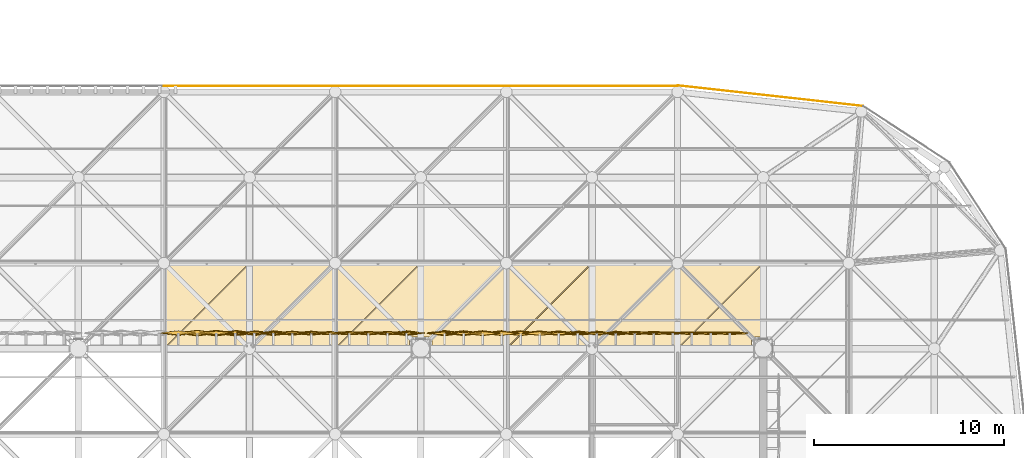
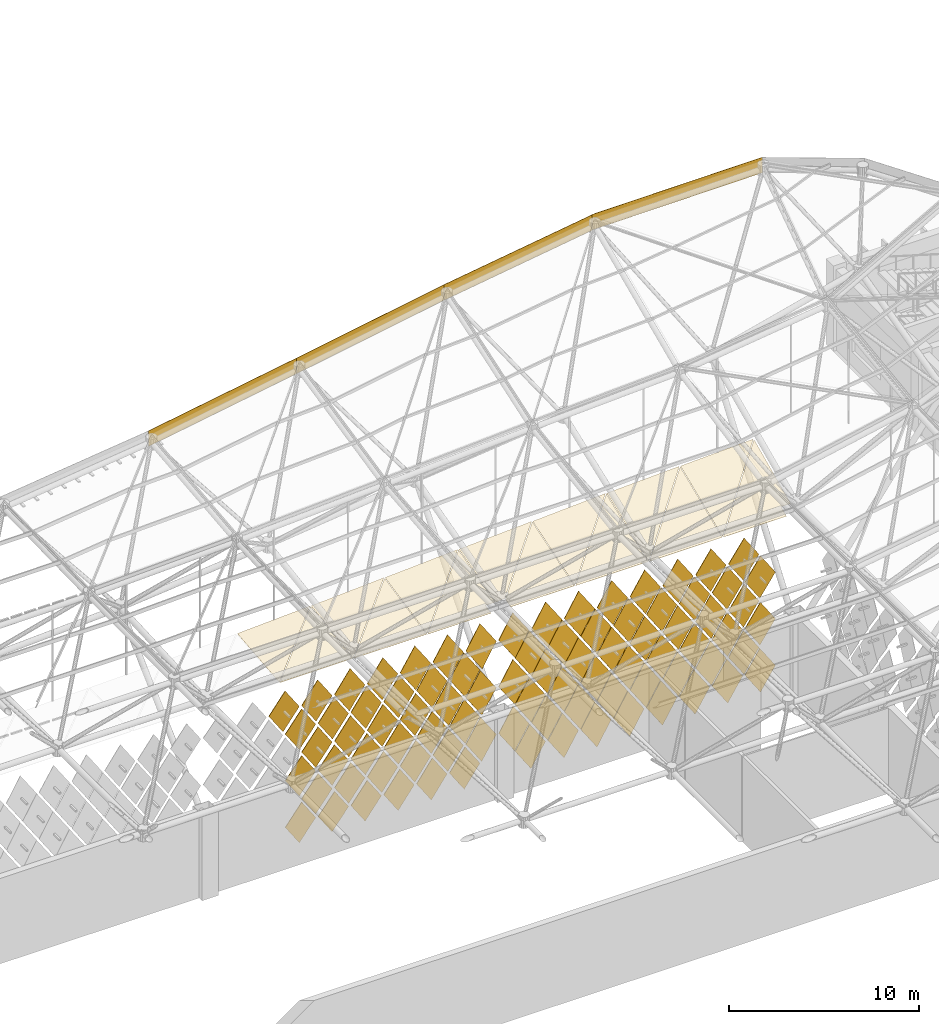
# One storey, part 427 of 437: 103 coverings.
"""IFC4 building model written with IfcOpenShell, lengths in metres."""

from ifc_helpers import new_model, si_unit, direction, frame, origin, place, context, subcontext, project, spatial, polyline, outline, extrude, material, layer, layer_set, material_profile, profile_set, type_object, element, save


model = new_model("IFC4")

# Units and contexts
model_context = context("Model", 3, precision=1e-05, world=origin(), true_north=direction((0.0, 1.0)))
body_context = subcontext(model_context, "Body", "Model", "MODEL_VIEW")
ifc_project = project(units=[si_unit("LENGTHUNIT", "METRE"), si_unit("AREAUNIT", "SQUARE_METRE"), si_unit("VOLUMEUNIT", "CUBIC_METRE"), si_unit("PLANEANGLEUNIT", "RADIAN"), si_unit("MASSUNIT", "GRAM", prefix="KILO")], contexts=[model_context])

# Site, building, storey
site_placement = place(None, origin())
site = spatial("IfcSite", under=ifc_project, at=site_placement, CompositionType="ELEMENT")
building_placement = place(site_placement, origin())
building = spatial("IfcBuilding", under=site, at=building_placement, Name="Opaline Strait Convention Centre", CompositionType="ELEMENT")
storey_placement = place(building_placement, frame((0.0, 0.0, 11.5)))
storey = spatial("IfcBuildingStorey", under=building, at=storey_placement, Name="L02", CompositionType="ELEMENT", Elevation=11.5)

# Coverings
ifc_material_1 = material(Name="White ceramic-faced aluminium tile", Category="aluminium")
ifc_material_profile_1 = material_profile(ifc_material_1, outline(polyline([(0.927978515625, 0.0), (0.0, 1.39208984375), (-0.927978515625, 0.0), (0.0, -1.39208984375), (0.927978515625, 0.0)])), Name="Diamond tile 1856x2784")
ifc_profile_set_1 = profile_set([ifc_material_profile_1], Name="White ceramic-faced aluminium tile")
covering_type_1 = type_object("IfcCoveringType", Name="Diamond wall tile 1856x2784x30 pivot 1 deg", PredefinedType="CLADDING", material=ifc_profile_set_1)
for number, where, z_axis, x_axis, name in (
    (1, (259.25, 153.800048828125, 1.89208984375), (0.0, 0.999702690643, -0.024382992455), (-1.0, 0.0, 0.0), "Wall tile XT02 N"),
    (2, (258.25, 153.800048828125, 3.39208984375), (0.0, 0.999702690643, -0.024382992455), (-1.0, 0.0, 0.0), "Wall tile XT02 N"),
    (3, (259.25, 153.800048828125, 4.89208984375), (0.0, 0.999867829764, 0.016258013492), (-1.0, 0.0, 0.0), "Wall tile XT02 N"),
    (4, (257.25, 153.800048828125, 4.89208984375), (0.0, 0.999702690643, -0.024382992455), (-1.0, 0.0, 0.0), "Wall tile XT02 N"),
    (5, (258.25, 153.800048828125, 6.39208984375), (0.0, 0.999867829764, 0.016258013492), (-1.0, 0.0, 0.0), "Wall tile XT02 N"),
    (6, (256.25, 153.800048828125, 6.39208984375), (0.0, 0.999702690643, -0.024382992455), (-1.0, 0.0, 0.0), "Wall tile XT02 N"),
    (7, (257.25, 153.800048828125, 7.89208984375), (0.0, 0.999867829764, 0.016258013492), (-1.0, 0.0, 0.0), "Wall tile XT02 N"),
    (8, (255.25, 153.800048828125, 7.89208984375), (0.0, 0.999702690643, -0.024382992455), (-1.0, 0.0, 0.0), "Wall tile XT02 N"),
    (9, (256.25, 153.800048828125, 9.39208984375), (0.0, 0.999867829764, 0.016258013492), (-1.0, 0.0, 0.0), "Wall tile XT02 N"),
    (10, (254.25, 153.800048828125, 9.39208984375), (0.0, 0.999702690643, -0.024382992455), (-1.0, 0.0, 0.0), "Wall tile XT02 N"),
):
    element("IfcCovering", number, at=place(storey_placement, frame(where, z_axis=z_axis, x_axis=x_axis)), inside=storey, type_object=covering_type_1, Name=name, PredefinedType="CLADDING", context=body_context, shape_type="SweptSolid", body=[
        extrude(outline(polyline([(0.927978515625, 0.0), (0.0, 1.39208984375), (-0.927978515625, 0.0), (0.0, -1.39208984375), (0.927978515625, 0.0)])), origin(), (0.0, 0.0, 1.0), 0.030029296875),
    ])
ifc_material_profile_2 = material_profile(ifc_material_1, outline(polyline([(0.927978515625, 0.0), (0.0, 1.39208984375), (-0.927978515625, 0.0), (0.0, -1.39208984375), (0.927978515625, 0.0)])), Name="Diamond tile 1856x2784")
ifc_profile_set_2 = profile_set([ifc_material_profile_2], Name="White ceramic-faced aluminium tile")
covering_type_2 = type_object("IfcCoveringType", Name="Diamond wall tile 1856x2784x30 pivot 1.5 deg", PredefinedType="CLADDING", material=ifc_profile_set_2)
for number, where, z_axis, x_axis, name in (
    (11, (257.25, 153.800048828125, 1.89208984375), (0.0, 0.999471633277, -0.032503142546), (-1.0, 0.0, 0.0), "Wall tile XT03 N"),
    (12, (256.25, 153.800048828125, 3.39208984375), (0.0, 0.999471633277, -0.032503142546), (-1.0, 0.0, 0.0), "Wall tile XT03 N"),
    (13, (255.25, 153.800048828125, 4.89208984375), (0.0, 0.999471633277, -0.032503142546), (-1.0, 0.0, 0.0), "Wall tile XT03 N"),
    (14, (254.25, 153.800048828125, 6.39208984375), (0.0, 0.999471633277, -0.032503142546), (-1.0, 0.0, 0.0), "Wall tile XT03 N"),
    (15, (253.25, 153.800048828125, 7.89208984375), (0.0, 0.999471633277, -0.032503142546), (-1.0, 0.0, 0.0), "Wall tile XT03 N"),
    (16, (252.25, 153.800048828125, 9.39208984375), (0.0, 0.999471633277, -0.032503142546), (-1.0, 0.0, 0.0), "Wall tile XT03 N"),
):
    element("IfcCovering", number, at=place(storey_placement, frame(where, z_axis=z_axis, x_axis=x_axis)), inside=storey, type_object=covering_type_2, Name=name, PredefinedType="CLADDING", context=body_context, shape_type="SweptSolid", body=[
        extrude(outline(polyline([(0.927978515625, 0.0), (0.0, 1.39208984375), (-0.927978515625, 0.0), (0.0, -1.39208984375), (0.927978515625, 0.0)])), origin(), (0.0, 0.0, 1.0), 0.030029296875),
    ])
ifc_material_profile_3 = material_profile(ifc_material_1, outline(polyline([(0.927978515625, 0.0), (0.0, 1.39208984375), (-0.927978515625, 0.0), (0.0, -1.39208984375), (0.927978515625, 0.0)])), Name="Diamond tile 1856x2784")
ifc_profile_set_3 = profile_set([ifc_material_profile_3], Name="White ceramic-faced aluminium tile")
covering_type_3 = type_object("IfcCoveringType", Name="Diamond wall tile 1856x2784x30 pivot 2 deg", PredefinedType="CLADDING", material=ifc_profile_set_3)
for number, where, z_axis, x_axis, name in (
    (17, (241.25, 153.800048828125, 1.89208984375), (0.0, 0.999471633277, 0.032503142546), (-1.0, 0.0, 0.0), "Wall tile XT04 N"),
    (18, (242.25, 153.800048828125, 3.39208984375), (0.0, 0.999174794796, -0.040616861577), (-1.0, 0.0, 0.0), "Wall tile XT04 N"),
    (19, (240.25, 153.800048828125, 3.39208984375), (0.0, 0.999471633277, 0.032503142546), (-1.0, 0.0, 0.0), "Wall tile XT04 N"),
    (20, (241.25, 153.800048828125, 4.89208984375), (0.0, 0.999174794796, -0.040616861577), (-1.0, 0.0, 0.0), "Wall tile XT04 N"),
    (21, (239.25, 153.800048828125, 4.89208984375), (0.0, 0.999471633277, 0.032503142546), (-1.0, 0.0, 0.0), "Wall tile XT04 N"),
    (22, (240.25, 153.800048828125, 6.39208984375), (0.0, 0.999174794796, -0.040616861577), (-1.0, 0.0, 0.0), "Wall tile XT04 N"),
    (23, (238.25, 153.800048828125, 6.39208984375), (0.0, 0.999471633277, 0.032503142546), (-1.0, 0.0, 0.0), "Wall tile XT04 N"),
    (24, (236.25, 153.800048828125, 6.39208984375), (0.0, 0.999471633277, 0.032503142546), (-1.0, 0.0, 0.0), "Wall tile XT04 N"),
    (25, (259.25, 153.800048828125, 7.89208984375), (0.0, 0.999471633277, 0.032503142546), (-1.0, 0.0, 0.0), "Wall tile XT04 N"),
    (26, (239.25, 153.800048828125, 7.89208984375), (0.0, 0.999174794796, -0.040616861577), (-1.0, 0.0, 0.0), "Wall tile XT04 N"),
    (27, (237.25, 153.800048828125, 7.89208984375), (0.0, 0.999471633277, 0.032503142546), (-1.0, 0.0, 0.0), "Wall tile XT04 N"),
    (28, (235.25, 153.800048828125, 7.89208984375), (0.0, 0.999471633277, 0.032503142546), (-1.0, 0.0, 0.0), "Wall tile XT04 N"),
    (29, (258.25, 153.800048828125, 9.39208984375), (0.0, 0.999471633277, 0.032503142546), (-1.0, 0.0, 0.0), "Wall tile XT04 N"),
    (30, (238.25, 153.800048828125, 9.39208984375), (0.0, 0.999174794796, -0.040616861577), (-1.0, 0.0, 0.0), "Wall tile XT04 N"),
    (31, (236.25, 153.800048828125, 9.39208984375), (0.0, 0.999471633277, 0.032503142546), (-1.0, 0.0, 0.0), "Wall tile XT04 N"),
    (32, (234.25, 153.800048828125, 9.39208984375), (0.0, 0.999471633277, 0.032503142546), (-1.0, 0.0, 0.0), "Wall tile XT04 N"),
):
    element("IfcCovering", number, at=place(storey_placement, frame(where, z_axis=z_axis, x_axis=x_axis)), inside=storey, type_object=covering_type_3, Name=name, PredefinedType="CLADDING", context=body_context, shape_type="SweptSolid", body=[
        extrude(outline(polyline([(0.927978515625, 0.0), (0.0, 1.39208984375), (-0.927978515625, 0.0), (0.0, -1.39208984375), (0.927978515625, 0.0)])), origin(), (0.0, 0.0, 1.0), 0.030029296875),
    ])
ifc_material_profile_4 = material_profile(ifc_material_1, outline(polyline([(0.927978515625, 0.0), (0.0, 1.39208984375), (-0.927978515625, 0.0), (0.0, -1.39208984375), (0.927978515625, 0.0)])), Name="Diamond tile 1856x2784")
ifc_profile_set_4 = profile_set([ifc_material_profile_4], Name="White ceramic-faced aluminium tile")
covering_type_4 = type_object("IfcCoveringType", Name="Diamond wall tile 1856x2784x30 pivot 2.5 deg", PredefinedType="CLADDING", material=ifc_profile_set_4)
for number, where, z_axis, x_axis, name in (
    (33, (255.25, 153.800048828125, 1.89208984375), (0.0, 0.998812351125, -0.048722553713), (-1.0, 0.0, 0.0), "Wall tile XT05 N"),
    (34, (245.25, 153.800048828125, 1.89208984375), (0.0, 0.998812351125, -0.048722553713), (-1.0, 0.0, 0.0), "Wall tile XT05 N"),
    (35, (239.25, 153.800048828125, 1.89208984375), (0.0, 0.999174794796, 0.040616861577), (-1.0, 0.0, 0.0), "Wall tile XT05 N"),
    (36, (254.25, 153.800048828125, 3.39208984375), (0.0, 0.998812351125, -0.048722553713), (-1.0, 0.0, 0.0), "Wall tile XT05 N"),
    (37, (238.25, 153.800048828125, 3.39208984375), (0.0, 0.999174794796, 0.040616861577), (-1.0, 0.0, 0.0), "Wall tile XT05 N"),
    (38, (237.25, 153.800048828125, 4.89208984375), (0.0, 0.999174794796, 0.040616861577), (-1.0, 0.0, 0.0), "Wall tile XT05 N"),
    (39, (252.25, 153.800048828125, 6.39208984375), (0.0, 0.998812351125, -0.048722553713), (-1.0, 0.0, 0.0), "Wall tile XT05 N"),
    (40, (251.25, 153.800048828125, 7.89208984375), (0.0, 0.998812351125, -0.048722553713), (-1.0, 0.0, 0.0), "Wall tile XT05 N"),
    (41, (250.25, 153.800048828125, 9.39208984375), (0.0, 0.998812351125, -0.048722553713), (-1.0, 0.0, 0.0), "Wall tile XT05 N"),
):
    element("IfcCovering", number, at=place(storey_placement, frame(where, z_axis=z_axis, x_axis=x_axis)), inside=storey, type_object=covering_type_4, Name=name, PredefinedType="CLADDING", context=body_context, shape_type="SweptSolid", body=[
        extrude(outline(polyline([(0.927978515625, 0.0), (0.0, 1.39208984375), (-0.927978515625, 0.0), (0.0, -1.39208984375), (0.927978515625, 0.0)])), origin(), (0.0, 0.0, 1.0), 0.030029296875),
    ])
ifc_material_profile_5 = material_profile(ifc_material_1, outline(polyline([(0.927978515625, 0.0), (0.0, 1.39208984375), (-0.927978515625, 0.0), (0.0, -1.39208984375), (0.927978515625, 0.0)])), Name="Diamond tile 1856x2784")
ifc_profile_set_5 = profile_set([ifc_material_profile_5], Name="White ceramic-faced aluminium tile")
covering_type_5 = type_object("IfcCoveringType", Name="Diamond wall tile 1856x2784x30 pivot 3 deg", PredefinedType="CLADDING", material=ifc_profile_set_5)
for number, where, z_axis, x_axis, name in (
    (42, (244.25, 153.800048828125, 3.39208984375), (0.0, 0.998384516691, -0.056818631031), (-1.0, 0.0, 0.0), "Wall tile XT06 N"),
    (43, (253.25, 153.800048828125, 4.89208984375), (0.0, 0.998384516691, -0.056818631031), (-1.0, 0.0, 0.0), "Wall tile XT06 N"),
    (44, (242.25, 153.800048828125, 6.39208984375), (0.0, 0.998384516691, -0.056818631031), (-1.0, 0.0, 0.0), "Wall tile XT06 N"),
    (45, (241.25, 153.800048828125, 7.89208984375), (0.0, 0.998384516691, -0.056818631031), (-1.0, 0.0, 0.0), "Wall tile XT06 N"),
    (46, (240.25, 153.800048828125, 9.39208984375), (0.0, 0.998384516691, -0.056818631031), (-1.0, 0.0, 0.0), "Wall tile XT06 N"),
):
    element("IfcCovering", number, at=place(storey_placement, frame(where, z_axis=z_axis, x_axis=x_axis)), inside=storey, type_object=covering_type_5, Name=name, PredefinedType="CLADDING", context=body_context, shape_type="SweptSolid", body=[
        extrude(outline(polyline([(0.927978515625, 0.0), (0.0, 1.39208984375), (-0.927978515625, 0.0), (0.0, -1.39208984375), (0.927978515625, 0.0)])), origin(), (0.0, 0.0, 1.0), 0.030029296875),
    ])
ifc_material_profile_6 = material_profile(ifc_material_1, outline(polyline([(0.927978515625, 0.0), (0.0, 1.39208984375), (-0.927978515625, 0.0), (0.0, -1.39208984375), (0.927978515625, 0.0)])), Name="Diamond tile 1856x2784")
ifc_profile_set_6 = profile_set([ifc_material_profile_6], Name="White ceramic-faced aluminium tile")
covering_type_6 = type_object("IfcCoveringType", Name="Diamond wall tile 1856x2784x30 pivot 3.5 deg", PredefinedType="CLADDING", material=ifc_profile_set_6)
for number, where, z_axis, x_axis, name in (
    (47, (253.25, 153.800048828125, 1.89208984375), (0.0, 0.99785694905, -0.065433242561), (-1.0, 0.0, 0.0), "Wall tile XT07 N"),
    (48, (247.25, 153.800048828125, 1.89208984375), (0.0, 0.99785694905, -0.065433242561), (-1.0, 0.0, 0.0), "Wall tile XT07 N"),
    (49, (252.25, 153.800048828125, 3.39208984375), (0.0, 0.99785694905, -0.065433242561), (-1.0, 0.0, 0.0), "Wall tile XT07 N"),
    (50, (246.25, 153.800048828125, 3.39208984375), (0.0, 0.99785694905, -0.065433242561), (-1.0, 0.0, 0.0), "Wall tile XT07 N"),
    (51, (251.25, 153.800048828125, 4.89208984375), (0.0, 0.99785694905, -0.065433242561), (-1.0, 0.0, 0.0), "Wall tile XT07 N"),
    (52, (245.25, 153.800048828125, 4.89208984375), (0.0, 0.99785694905, -0.065433242561), (-1.0, 0.0, 0.0), "Wall tile XT07 N"),
    (53, (250.25, 153.800048828125, 6.39208984375), (0.0, 0.99785694905, -0.065433242561), (-1.0, 0.0, 0.0), "Wall tile XT07 N"),
    (54, (249.25, 153.800048828125, 7.89208984375), (0.0, 0.99785694905, -0.065433242561), (-1.0, 0.0, 0.0), "Wall tile XT07 N"),
):
    element("IfcCovering", number, at=place(storey_placement, frame(where, z_axis=z_axis, x_axis=x_axis)), inside=storey, type_object=covering_type_6, Name=name, PredefinedType="CLADDING", context=body_context, shape_type="SweptSolid", body=[
        extrude(outline(polyline([(0.927978515625, 0.0), (0.0, 1.39208984375), (-0.927978515625, 0.0), (0.0, -1.39208984375), (0.927978515625, 0.0)])), origin(), (0.0, 0.0, 1.0), 0.02978515625),
    ])
ifc_material_profile_7 = material_profile(ifc_material_1, outline(polyline([(0.927978515625, 0.0), (0.0, 1.39208984375), (-0.927978515625, 0.0), (0.0, -1.39208984375), (0.927978515625, 0.0)])), Name="Diamond tile 1856x2784")
ifc_profile_set_7 = profile_set([ifc_material_profile_7], Name="White ceramic-faced aluminium tile")
covering_type_7 = type_object("IfcCoveringType", Name="Diamond wall tile 1856x2784x30 pivot 4 deg", PredefinedType="CLADDING", material=ifc_profile_set_7)
for number, where, z_axis, x_axis, name in (
    (55, (251.25, 153.800048828125, 1.89208984375), (0.0, 0.997290013252, -0.073570574748), (-1.0, 0.0, 0.0), "Wall tile XT08 N"),
    (56, (249.25, 153.800048828125, 1.89208984375), (0.0, 0.997290013252, -0.073570574748), (-1.0, 0.0, 0.0), "Wall tile XT08 N"),
    (57, (237.25, 153.800048828125, 1.89208984375), (0.0, 0.99785694905, 0.065433242561), (-1.0, 0.0, 0.0), "Wall tile XT08 N"),
    (58, (250.25, 153.800048828125, 3.39208984375), (0.0, 0.997290013252, -0.073570574748), (-1.0, 0.0, 0.0), "Wall tile XT08 N"),
    (59, (236.25, 153.800048828125, 3.39208984375), (0.0, 0.99785694905, 0.065433242561), (-1.0, 0.0, 0.0), "Wall tile XT08 N"),
    (60, (249.25, 153.800048828125, 4.89208984375), (0.0, 0.997290013252, -0.073570574748), (-1.0, 0.0, 0.0), "Wall tile XT08 N"),
    (61, (235.25, 153.800048828125, 4.89208984375), (0.0, 0.99785694905, 0.065433242561), (-1.0, 0.0, 0.0), "Wall tile XT08 N"),
    (62, (244.25, 153.800048828125, 6.39208984375), (0.0, 0.997290013252, -0.073570574748), (-1.0, 0.0, 0.0), "Wall tile XT08 N"),
    (63, (234.25, 153.800048828125, 6.39208984375), (0.0, 0.99785694905, 0.065433242561), (-1.0, 0.0, 0.0), "Wall tile XT08 N"),
    (64, (233.25, 153.800048828125, 7.89208984375), (0.0, 0.99785694905, 0.065433242561), (-1.0, 0.0, 0.0), "Wall tile XT08 N"),
    (65, (248.25, 153.800048828125, 9.39208984375), (0.0, 0.997290013252, -0.073570574748), (-1.0, 0.0, 0.0), "Wall tile XT08 N"),
    (66, (232.25, 153.800048828125, 9.39208984375), (0.0, 0.99785694905, 0.065433242561), (-1.0, 0.0, 0.0), "Wall tile XT08 N"),
):
    element("IfcCovering", number, at=place(storey_placement, frame(where, z_axis=z_axis, x_axis=x_axis)), inside=storey, type_object=covering_type_7, Name=name, PredefinedType="CLADDING", context=body_context, shape_type="SweptSolid", body=[
        extrude(outline(polyline([(0.927978515625, 0.0), (0.0, 1.39208984375), (-0.927978515625, 0.0), (0.0, -1.39208984375), (0.927978515625, 0.0)])), origin(), (0.0, 0.0, 1.0), 0.02978515625),
    ])
ifc_material_profile_8 = material_profile(ifc_material_1, outline(polyline([(0.927978515625, 0.0), (0.0, 1.39208984375), (-0.927978515625, 0.0), (0.0, -1.39208984375), (0.927978515625, 0.0)])), Name="Diamond tile 1856x2784")
ifc_profile_set_8 = profile_set([ifc_material_profile_8], Name="White ceramic-faced aluminium tile")
covering_type_8 = type_object("IfcCoveringType", Name="Diamond wall tile 1856x2784x30 pivot 4.5 deg", PredefinedType="CLADDING", material=ifc_profile_set_8)
for number, where, z_axis, x_axis, name in (
    (67, (248.25, 153.800048828125, 3.39208984375), (0.0, 0.996657521232, -0.081693239445), (-1.0, 0.0, 0.0), "Wall tile XT09 N"),
    (68, (247.25, 153.800048828125, 4.89208984375), (0.0, 0.996657521232, -0.081693239445), (-1.0, 0.0, 0.0), "Wall tile XT09 N"),
    (69, (248.25, 153.800048828125, 6.39208984375), (0.0, 0.996657521232, -0.081693239445), (-1.0, 0.0, 0.0), "Wall tile XT09 N"),
    (70, (246.25, 153.800048828125, 6.39208984375), (0.0, 0.996657521232, -0.081693239445), (-1.0, 0.0, 0.0), "Wall tile XT09 N"),
    (71, (247.25, 153.800048828125, 7.89208984375), (0.0, 0.996657521232, -0.081693239445), (-1.0, 0.0, 0.0), "Wall tile XT09 N"),
    (72, (245.25, 153.800048828125, 7.89208984375), (0.0, 0.996657521232, -0.081693239445), (-1.0, 0.0, 0.0), "Wall tile XT09 N"),
    (73, (246.25, 153.800048828125, 9.39208984375), (0.0, 0.996657521232, -0.081693239445), (-1.0, 0.0, 0.0), "Wall tile XT09 N"),
    (74, (242.25, 153.800048828125, 9.39208984375), (0.0, 0.996657521232, -0.081693239445), (-1.0, 0.0, 0.0), "Wall tile XT09 N"),
):
    element("IfcCovering", number, at=place(storey_placement, frame(where, z_axis=z_axis, x_axis=x_axis)), inside=storey, type_object=covering_type_8, Name=name, PredefinedType="CLADDING", context=body_context, shape_type="SweptSolid", body=[
        extrude(outline(polyline([(0.927978515625, 0.0), (0.0, 1.39208984375), (-0.927978515625, 0.0), (0.0, -1.39208984375), (0.927978515625, 0.0)])), origin(), (0.0, 0.0, 1.0), 0.02978515625),
    ])
ifc_material_profile_9 = material_profile(ifc_material_1, outline(polyline([(0.927978515625, 0.0), (0.0, 1.39208984375), (-0.927978515625, 0.0), (0.0, -1.39208984375), (0.927978515625, 0.0)])), Name="Diamond tile 1856x2784")
ifc_profile_set_9 = profile_set([ifc_material_profile_9], Name="White ceramic-faced aluminium tile")
covering_type_9 = type_object("IfcCoveringType", Name="Diamond wall tile 1856x2784x30 pivot 5 deg", PredefinedType="CLADDING", material=ifc_profile_set_9)
for number, where, z_axis, x_axis, name in (
    (75, (235.25, 153.800048828125, 1.89208984375), (0.0, 0.996657521232, 0.081693239445), (-1.0, 0.0, 0.0), "Wall tile XT10 N"),
    (76, (234.25, 153.800048828125, 3.39208984375), (0.0, 0.996657521232, 0.081693239445), (-1.0, 0.0, 0.0), "Wall tile XT10 N"),
    (77, (244.25, 153.800048828125, 9.39208984375), (0.0, 0.995959849254, -0.089799658539), (-1.0, 0.0, 0.0), "Wall tile XT10 N"),
    (78, (230.25, 153.800048828125, 9.39208984375), (0.0, 0.996657521232, 0.081693239445), (-1.0, 0.0, 0.0), "Wall tile XT10 N"),
):
    element("IfcCovering", number, at=place(storey_placement, frame(where, z_axis=z_axis, x_axis=x_axis)), inside=storey, type_object=covering_type_9, Name=name, PredefinedType="CLADDING", context=body_context, shape_type="SweptSolid", body=[
        extrude(outline(polyline([(0.927978515625, 0.0), (0.0, 1.39208984375), (-0.927978515625, 0.0), (0.0, -1.39208984375), (0.927978515625, 0.0)])), origin(), (0.0, 0.0, 1.0), 0.02978515625),
    ])
ifc_material_profile_10 = material_profile(ifc_material_1, outline(polyline([(0.927978515625, 0.0), (0.0, 1.39208984375), (-0.927978515625, 0.0), (0.0, -1.39208984375), (0.927978515625, 0.0)])), Name="Diamond tile 1856x2784")
ifc_profile_set_10 = profile_set([ifc_material_profile_10], Name="White ceramic-faced aluminium tile")
covering_type_10 = type_object("IfcCoveringType", Name="Diamond wall tile 1856x2784x30 pivot 5.5 deg", PredefinedType="CLADDING", material=ifc_profile_set_10)
for number, where, z_axis, x_axis, name in (
    (79, (231.25, 153.800048828125, 1.89208984375), (0.0, 0.995959849254, 0.089799658539), (-1.0, 0.0, 0.0), "Wall tile XT11 N"),
    (80, (233.25, 153.800048828125, 4.89208984375), (0.0, 0.995959849254, 0.089799658539), (-1.0, 0.0, 0.0), "Wall tile XT11 N"),
    (81, (232.25, 153.800048828125, 6.39208984375), (0.0, 0.995959849254, 0.089799658539), (-1.0, 0.0, 0.0), "Wall tile XT11 N"),
    (82, (231.25, 153.800048828125, 7.89208984375), (0.0, 0.995959849254, 0.089799658539), (-1.0, 0.0, 0.0), "Wall tile XT11 N"),
):
    element("IfcCovering", number, at=place(storey_placement, frame(where, z_axis=z_axis, x_axis=x_axis)), inside=storey, type_object=covering_type_10, Name=name, PredefinedType="CLADDING", context=body_context, shape_type="SweptSolid", body=[
        extrude(outline(polyline([(0.927978515625, 0.0), (0.0, 1.39208984375), (-0.927978515625, 0.0), (0.0, -1.39208984375), (0.927978515625, 0.0)])), origin(), (0.0, 0.0, 1.0), 0.02978515625),
    ])
ifc_material_profile_11 = material_profile(ifc_material_1, outline(polyline([(0.927978515625, 0.0), (0.0, 1.39208984375), (-0.927978515625, 0.0), (0.0, -1.39208984375), (0.927978515625, 0.0)])), Name="Diamond tile 1856x2784")
ifc_profile_set_11 = profile_set([ifc_material_profile_11], Name="White ceramic-faced aluminium tile")
covering_type_11 = type_object("IfcCoveringType", Name="Diamond wall tile 1856x2784x30 pivot 6 deg", PredefinedType="CLADDING", material=ifc_profile_set_11)
for number, where, z_axis, x_axis, name in (
    (83, (233.25, 153.800048828125, 1.89208984375), (0.0, 0.995197410875, 0.097888269922), (-1.0, 0.0, 0.0), "Wall tile XT12 N"),
    (84, (232.25, 153.800048828125, 3.39208984375), (0.0, 0.995197410875, 0.097888269922), (-1.0, 0.0, 0.0), "Wall tile XT12 N"),
    (85, (231.25, 153.800048828125, 4.89208984375), (0.0, 0.995197410875, 0.097888269922), (-1.0, 0.0, 0.0), "Wall tile XT12 N"),
):
    element("IfcCovering", number, at=place(storey_placement, frame(where, z_axis=z_axis, x_axis=x_axis)), inside=storey, type_object=covering_type_11, Name=name, PredefinedType="CLADDING", context=body_context, shape_type="SweptSolid", body=[
        extrude(outline(polyline([(0.927978515625, 0.0), (0.0, 1.39208984375), (-0.927978515625, 0.0), (0.0, -1.39208984375), (0.927978515625, 0.0)])), origin(), (0.0, 0.0, 1.0), 0.030029296875),
    ])
ifc_material_2 = material(Name="White aluminium fascia plate", Category="aluminium")
ifc_layer_1 = layer(ifc_material_2, 0.02001953125)
ifc_layer_set_1 = layer_set([ifc_layer_1], Name="White aluminium fascia plate")
covering_type_12 = type_object("IfcCoveringType", Name="Edge fascia plate 20 aluminium", PredefinedType="CLADDING", material=ifc_layer_set_1)
covering_1_placement = place(storey_placement, frame((261.3935546875, 166.281494140625, 24.2626953125), z_axis=(0.110431526075, 0.993883734674, 0.0), x_axis=(-0.993883734674, 0.110431526075, 0.0)))
element("IfcCovering", 86, at=covering_1_placement, inside=storey, type_object=covering_type_12, Name="Edge fascia plate N", PredefinedType="CLADDING", context=body_context, shape_type="SweptSolid", body=[
    extrude(outline(polyline([(-4.9052734375, 0.9658203125), (4.9052734375, 0.0341796875), (4.9052734375, -0.9658203125), (-4.9052734375, -0.0341796875), (-4.9052734375, 0.9658203125)])), origin(), (0.0, 0.0, 1.0), 0.019775390625),
])
covering_2_placement = place(storey_placement, frame((252.008056640625, 166.800048828125, 23.124267578125), z_axis=(0.0, 1.0, 0.0), x_axis=(-1.0, 0.0, 0.0)))
element("IfcCovering", 87, at=covering_2_placement, inside=storey, type_object=covering_type_12, Name="Edge fascia plate N", PredefinedType="CLADDING", context=body_context, shape_type="SweptSolid", body=[
    extrude(outline(polyline([(-4.508056640625, 1.17236328125), (4.508056640625, -0.17236328125), (4.508056640625, -1.17236328125), (-4.508056640625, 0.17236328125), (-4.508056640625, 1.17236328125)])), origin(), (0.0, 0.0, 1.0), 0.02001953125),
])
covering_3_placement = place(storey_placement, frame((243.0, 166.800048828125, 21.65966796875), z_axis=(0.0, 1.0, 0.0), x_axis=(-1.0, 0.0, 0.0)))
element("IfcCovering", 88, at=covering_3_placement, inside=storey, type_object=covering_type_12, Name="Edge fascia plate N", PredefinedType="CLADDING", context=body_context, shape_type="SweptSolid", body=[
    extrude(outline(polyline([(-4.5, 1.29248046875), (4.5, -0.29248046875), (4.5, -1.29248046875), (-4.5, 0.29248046875), (-4.5, 1.29248046875)])), origin(), (0.0, 0.0, 1.0), 0.02001953125),
])
covering_4_placement = place(storey_placement, frame((234.0, 166.800048828125, 20.103515625), z_axis=(0.0, 1.0, 0.0), x_axis=(-1.0, 0.0, 0.0)))
element("IfcCovering", 89, at=covering_4_placement, inside=storey, type_object=covering_type_12, Name="Edge fascia plate N", PredefinedType="CLADDING", context=body_context, shape_type="SweptSolid", body=[
    extrude(outline(polyline([(-4.5, 1.263671875), (4.5, -0.263671875), (4.5, -1.263671875), (-4.5, 0.263671875), (-4.5, 1.263671875)])), origin(), (0.0, 0.0, 1.0), 0.02001953125),
])
ifc_material_3 = material(Name="White aluminium soffit panel", Category="aluminium")
ifc_layer_2 = layer(ifc_material_3, 0.011962890625)
ifc_layer_set_2 = layer_set([ifc_layer_2], Name="White aluminium soffit panel")
covering_type_13 = type_object("IfcCoveringType", Name="Soffit lining panel 12 aluminium", PredefinedType="CEILING", material=ifc_layer_set_2)
covering_5_placement = place(storey_placement, frame((229.54833984375, 153.02001953125, 11.976318359375), z_axis=(0.0, -0.148830592632, 0.988862707709), x_axis=(0.703136079276, 0.703136079276, 0.105826783196)))
element("IfcCovering", 90, at=covering_5_placement, inside=storey, type_object=covering_type_13, Name="Soffit lining panel", PredefinedType="CEILING", context=body_context, shape_type="SweptSolid", body=[
    extrude(outline(polyline([(0.0, 0.0), (6.302678465262751, 2.220446049250313e-16), (3.116046413821247, -3.1511415988593945), (0.0, 0.0)])), origin(), (0.0, 0.0, -1.0), 0.011962890625),
])
covering_6_placement = place(storey_placement, frame((229.52001953125, 153.04833984375, 11.990966796875), z_axis=(-0.049435444208, -0.10013004148, 0.993745496417), x_axis=(0.0, 0.994962015623, 0.100252618256)))
element("IfcCovering", 91, at=covering_6_placement, inside=storey, type_object=covering_type_13, Name="Soffit lining panel", PredefinedType="CEILING", context=body_context, shape_type="SweptSolid", body=[
    extrude(outline(polyline([(0.0, 0.0), (4.4540802115188125, 3.469446951953614e-18), (4.476181801920365, -4.437065732287923), (0.0, 0.0)])), origin(), (0.0, 0.0, -1.0), 0.011962890625),
])
covering_7_placement = place(storey_placement, frame((234.04833984375, 153.02001953125, 11.959228515625), z_axis=(0.0, -0.20479827884, 0.978804201556), x_axis=(0.699492538259, 0.699492538259, 0.146357021833)))
element("IfcCovering", 92, at=covering_7_placement, inside=storey, type_object=covering_type_13, Name="Soffit lining panel", PredefinedType="CEILING", context=body_context, shape_type="SweptSolid", body=[
    extrude(outline(polyline([(0.0, 0.0), (6.3355080756538715, -1.1102230246251565e-16), (3.099899549433288, -3.1670272200556937), (0.0, 0.0)])), origin(), (0.0, 0.0, -1.0), 0.011962890625),
])
covering_8_placement = place(storey_placement, frame((234.02001953125, 153.04833984375, 11.978515625), z_axis=(-0.057975053348, -0.148527083203, 0.987207475025), x_axis=(0.0, 0.988870723853, 0.148777321884)))
element("IfcCovering", 93, at=covering_8_placement, inside=storey, type_object=covering_type_13, Name="Soffit lining panel", PredefinedType="CEILING", context=body_context, shape_type="SweptSolid", body=[
    extrude(outline(polyline([(0.0, 0.0), (4.4815166614843704, -6.938893903907228e-18), (4.5202365406661436, -4.439107060640116), (0.0, 0.0)])), origin(), (0.0, 0.0, -1.0), 0.011962890625),
])
covering_9_placement = place(storey_placement, frame((242.39990234375, 153.02001953125, 11.9423828125), z_axis=(2.2585036e-05, -0.258734508722, 0.965948473515), x_axis=(-0.999999999745, -5.843528e-06, 2.1815981e-05)))
element("IfcCovering", 94, at=covering_9_placement, inside=storey, type_object=covering_type_13, Name="Soffit lining panel", PredefinedType="CEILING", context=body_context, shape_type="SweptSolid", body=[
    extrude(outline(polyline([(0.0, 0.0), (3.85156249901769, 0.0), (-0.5800781254438327, -4.587857391954731), (-0.5800781271125641, -0.6005001760855877), (-2.260508252992077e-09, -0.6005001760855877), (0.0, 0.0)])), origin(), (0.0, 0.0, -1.0), 0.011962890625),
])
covering_10_placement = place(storey_placement, frame((238.52001953125, 153.04833984375, 11.9638671875), z_axis=(-0.057279517492, -0.204462037064, 0.977197181881), x_axis=(0.0, 0.978804201556, 0.20479827884)))
element("IfcCovering", 95, at=covering_10_placement, inside=storey, type_object=covering_type_13, Name="Soffit lining panel", PredefinedType="CEILING", context=body_context, shape_type="SweptSolid", body=[
    extrude(outline(polyline([(0.0, 0.0), (4.527606867598491, 0.0), (4.580806420500384, -4.438928543765159), (0.0, 0.0)])), origin(), (0.0, 0.0, -1.0), 0.011962890625),
])
covering_11_placement = place(storey_placement, frame((247.47998046875, 157.45166015625, 13.357421875), z_axis=(-3.8289778e-05, -0.307234339157, 0.951633889359), x_axis=(-1.221e-09, -0.951633890057, -0.307234339382)))
element("IfcCovering", 96, at=covering_11_placement, inside=storey, type_object=covering_type_13, Name="Soffit lining panel", PredefinedType="CEILING", context=body_context, shape_type="SweptSolid", body=[
    extrude(outline(polyline([(0.0, 0.0), (4.656923543805586, 0.0), (4.656923548544773, -3.8798828096558378), (4.077171003393969, -3.8798828160523158), (0.0, 0.0)])), origin(), (0.0, 0.0, -1.0), 0.011962890625),
])
covering_12_placement = place(storey_placement, frame((243.02001953125, 157.47998046875, 13.136474609375), z_axis=(-0.053114918056, -0.258408382246, 0.964574472742), x_axis=(0.998487437638, -7.563346e-06, 0.05498033122)))
element("IfcCovering", 97, at=covering_12_placement, inside=storey, type_object=covering_type_13, Name="Soffit lining panel", PredefinedType="CEILING", context=body_context, shape_type="SweptSolid", body=[
    extrude(outline(polyline([(0.0, 0.0), (4.4383470016849005, 1.3877787807814457e-17), (0.4954756095775009, -4.016289238552197), (-0.057125501375947824, -4.016328313988712), (0.0, 0.0)])), origin(), (0.0, 0.0, -1.0), 0.011962890625),
])
covering_13_placement = place(storey_placement, frame((247.54833984375, 153.02001953125, 11.910400390625), z_axis=(0.0, -0.35351681603, 0.935428169762), x_axis=(0.683135434977, 0.683135434977, 0.258170399071)))
element("IfcCovering", 98, at=covering_13_placement, inside=storey, type_object=covering_type_13, Name="Soffit lining panel", PredefinedType="CEILING", context=body_context, shape_type="SweptSolid", body=[
    extrude(outline(polyline([(0.0, 0.0), (6.4872064865836325, 0.0), (3.0274107460225363, -3.2363903973435684), (0.0, 0.0)])), origin(), (0.0, 0.0, -1.0), 0.011962890625),
])
covering_14_placement = place(storey_placement, frame((247.52001953125, 153.04833984375, 11.935302734375), z_axis=(-0.052301197228, -0.306844161114, 0.950321653736), x_axis=(0.0, 0.951624088534, 0.307264697163)))
element("IfcCovering", 99, at=covering_14_placement, inside=storey, type_object=covering_type_13, Name="Soffit lining panel", PredefinedType="CEILING", context=body_context, shape_type="SweptSolid", body=[
    extrude(outline(polyline([(0.0, 0.0), (4.65692354617518, 1.3877787807814457e-17), (4.7318643255856925, -4.437714276947336), (0.0, 0.0)])), origin(), (0.0, 0.0, -1.0), 0.011962890625),
])
covering_15_placement = place(storey_placement, frame((252.04833984375, 153.02001953125, 11.898193359375), z_axis=(0.0, -0.387153036095, 0.92201546985), x_axis=(0.677858640096, 0.677858640096, 0.284631916858)))
element("IfcCovering", 100, at=covering_15_placement, inside=storey, type_object=covering_type_13, Name="Soffit lining panel", PredefinedType="CEILING", context=body_context, shape_type="SweptSolid", body=[
    extrude(outline(polyline([(0.0, 0.0), (6.537706186606148, 1.6653345369377348e-16), (3.004025887456654, -3.2581079013195144), (0.0, 0.0)])), origin(), (0.0, 0.0, -1.0), 0.011962890625),
])
covering_16_placement = place(storey_placement, frame((252.02001953125, 153.04833984375, 11.921142578125), z_axis=(-0.039185826717, -0.353290350991, 0.934692676168), x_axis=(0.0, 0.935411127538, 0.353561907561)))
element("IfcCovering", 101, at=covering_16_placement, inside=storey, type_object=covering_type_13, Name="Soffit lining panel", PredefinedType="CEILING", context=body_context, shape_type="SweptSolid", body=[
    extrude(outline(polyline([(0.0, 0.0), (4.737639412803946, 0.0), (4.803328038695933, -4.435047004831605), (0.0, 0.0)])), origin(), (0.0, 0.0, -1.0), 0.011962890625),
])
covering_17_placement = place(storey_placement, frame((256.54833984375, 153.02001953125, 11.885986328125), z_axis=(1.5018569e-05, -0.419273906672, 0.907859785957), x_axis=(0.672174183204, 0.672177307874, 0.310418321324)))
element("IfcCovering", 102, at=covering_17_placement, inside=storey, type_object=covering_type_13, Name="Soffit lining panel", PredefinedType="CEILING", context=body_context, shape_type="SweptSolid", body=[
    extrude(outline(polyline([(0.0, 0.0), (6.592994397876641, -1.1102230246251565e-16), (3.4518867078909796, -2.8516900571597876), (3.061973168024525, -2.422204245454175), (2.5889208774971313, -2.8516701033113376), (0.0, 0.0)])), origin(), (0.0, 0.0, -1.0), 0.011962890625),
])
covering_18_placement = place(storey_placement, frame((256.52001953125, 153.04833984375, 11.910400390625), z_axis=(-0.038676944858, -0.386820205724, 0.921343704803), x_axis=(0.0, 0.922033600731, 0.387109854075)))
element("IfcCovering", 103, at=covering_18_placement, inside=storey, type_object=covering_type_13, Name="Soffit lining panel", PredefinedType="CEILING", context=body_context, shape_type="SweptSolid", body=[
    extrude(outline(polyline([(0.0, 0.0), (4.806376493746365, 1.3877787807814457e-17), (4.878392535935174, -4.434959007497004), (0.0, 0.0)])), origin(), (0.0, 0.0, -1.0), 0.011962890625),
])

save(model, "model.ifc")
